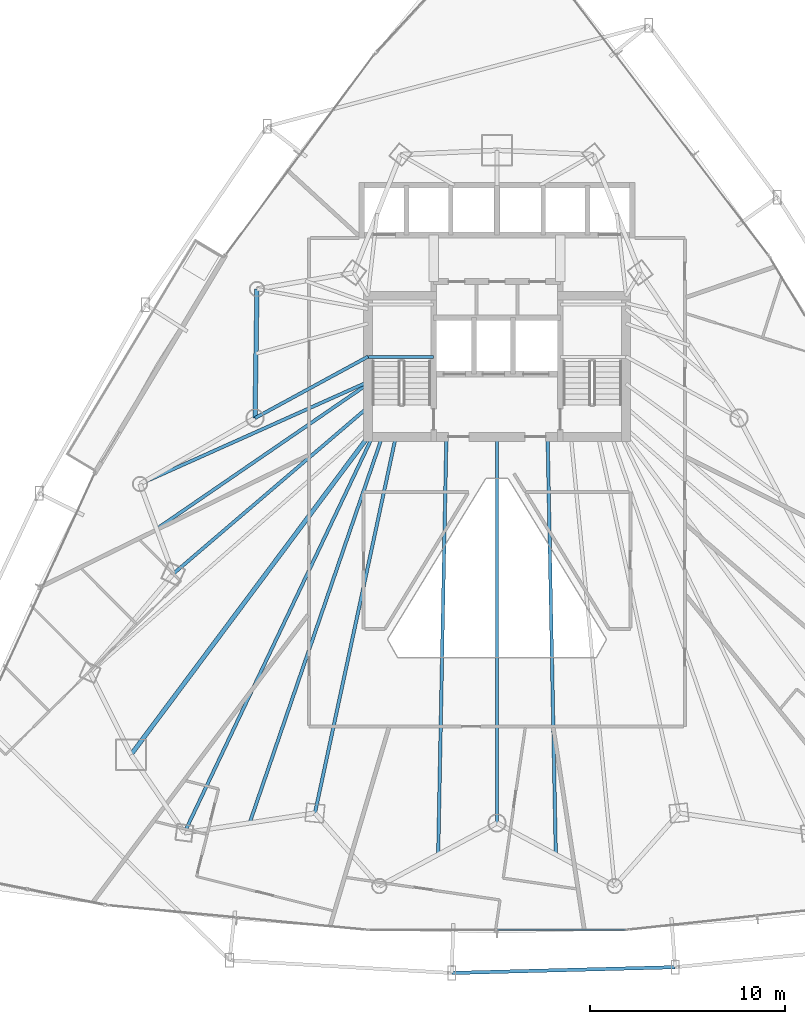
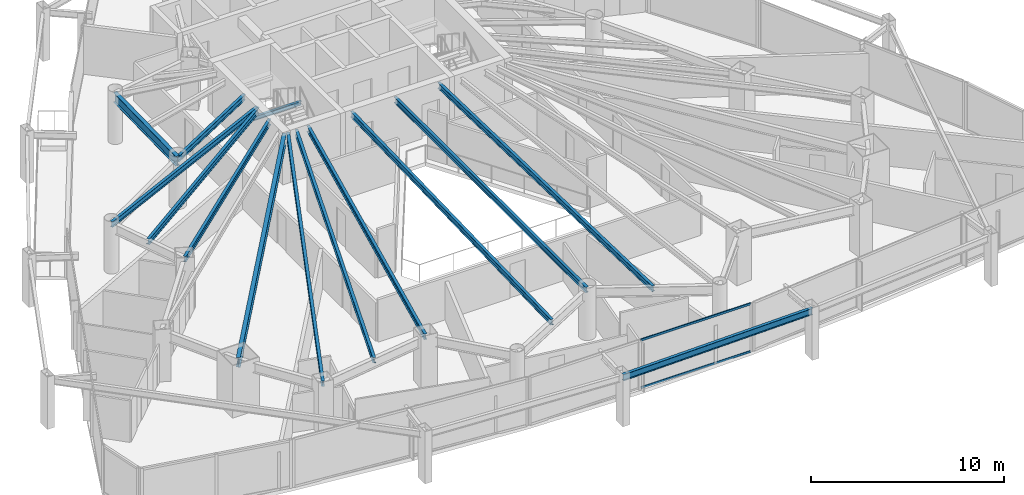
# One storey, part 11 of 35: 14 beams, 2 members, 1 element without a shape of its own.
"""IFC4 building model written with IfcOpenShell, lengths in metres."""

from ifc_helpers import new_model, si_unit, direction, frame, origin, origin_2d, place, context, subcontext, project, spatial, hollow_rectangle, i_section, extrude, material, layer, layer_set, material_profile, profile_set, type_object, element, aggregate, save


model = new_model("IFC4")

# Units and contexts
model_context = context("Model", 3, precision=1e-05, world=origin(), true_north=direction((0.0, 1.0)))
body_context = subcontext(model_context, "Body", "Model", "MODEL_VIEW")
ifc_project = project(units=[si_unit("LENGTHUNIT", "METRE"), si_unit("AREAUNIT", "SQUARE_METRE"), si_unit("VOLUMEUNIT", "CUBIC_METRE"), si_unit("PLANEANGLEUNIT", "RADIAN"), si_unit("MASSUNIT", "GRAM", prefix="KILO")], contexts=[model_context])

# Site, building, storey
site_placement = place(None, origin())
site = spatial("IfcSite", under=ifc_project, at=site_placement, CompositionType="ELEMENT")
building_placement = place(site_placement, origin())
building = spatial("IfcBuilding", under=site, at=building_placement, Name="Orvanel Arch Residences", CompositionType="ELEMENT")
storey_placement = place(building_placement, frame((0.0, 0.0, 36.800048828125)))
storey = spatial("IfcBuildingStorey", under=building, at=storey_placement, Name="L09", CompositionType="ELEMENT", Elevation=36.800048828125)

# Beams
ifc_material_1 = material(Name="Structural steel AS/NZS 3679.1 Grade 300 (300 MPa)", Category="steel")
ifc_material_profile_1 = material_profile(ifc_material_1, i_section(OverallWidth=0.22900390625, OverallDepth=0.612060546875, WebThickness=0.011962890625, FlangeThickness=0.01953125, at=origin_2d()), Name="610UB125")
ifc_profile_set_1 = profile_set([ifc_material_profile_1], Name="Structural steel AS/NZS 3679.1 Grade 300 (300 MPa)")
beam_type_1 = type_object("IfcBeamType", Name="BG-610UB", PredefinedType="BEAM", material=ifc_profile_set_1)
beam_1_placement = place(storey_placement, frame((26.375, 26.675048828125, 2.75390625), z_axis=(-0.597893733742, -0.801575375839, 0.0), x_axis=(0.801575375839, -0.597893733742, 0.0)))
element("IfcBeam", 1, at=beam_1_placement, inside=storey, type_object=beam_type_1, Name="L09 South-West Radial Girder", PredefinedType="BEAM", context=body_context, shape_type="SweptSolid", body=[
    extrude(i_section(OverallWidth=0.22900390625, OverallDepth=0.612060546875, WebThickness=0.011962890625, FlangeThickness=0.01953125, at=origin_2d()), origin(), (0.0, 0.0, 1.0), 20.36474609375),
])
ifc_material_profile_2 = material_profile(ifc_material_1, i_section(OverallWidth=0.14599609375, OverallDepth=0.251953125, WebThickness=0.006103515625, FlangeThickness=0.008544921875, at=origin_2d()), Name="250UB31.4")
ifc_profile_set_2 = profile_set([ifc_material_profile_2], Name="Structural steel AS/NZS 3679.1 Grade 300 (300 MPa)")
beam_type_2 = type_object("IfcBeamType", Name="BJ-250UB", PredefinedType="JOIST", material=ifc_profile_set_2)
beam_2_placement = place(storey_placement, frame((26.39990234375, 30.780029296875, 1.323974609375), z_axis=(1.0, 0.0, 0.0), x_axis=(0.0, 1.0, 0.0)))
element("IfcBeam", 2, at=beam_2_placement, inside=storey, type_object=beam_type_2, Name="L09 ST-1 Half-Landing Support Beam 1.1", PredefinedType="JOIST", context=body_context, shape_type="SweptSolid", body=[
    extrude(i_section(OverallWidth=0.14599609375, OverallDepth=0.251953125, WebThickness=0.006103515625, FlangeThickness=0.008544921875, at=origin_2d()), origin(), (0.0, 0.0, 1.0), 3.35009765625),
])
ifc_material_profile_3 = material_profile(ifc_material_1, i_section(OverallWidth=0.1708984375, OverallDepth=0.35595703125, WebThickness=0.00732421875, FlangeThickness=0.011474609375, at=origin_2d()), Name="360UB50.7")
ifc_profile_set_3 = profile_set([ifc_material_profile_3], Name="Structural steel AS/NZS 3679.1 Grade 300 (300 MPa)")
beam_type_3 = type_object("IfcBeamType", Name="BJ-360UB", PredefinedType="JOIST", material=ifc_profile_set_3)
beam_3_placement = place(storey_placement, frame((26.375, 30.800048828125, 2.8818359375), z_axis=(-0.878399029914, -0.477927969726, 0.0), x_axis=(0.477927969726, -0.878399029914, 0.0)))
element("IfcBeam", 3, at=beam_3_placement, inside=storey, type_object=beam_type_3, Name="L09 NW Wing Floor Joist", PredefinedType="JOIST", context=body_context, shape_type="SweptSolid", body=[
    extrude(i_section(OverallWidth=0.1708984375, OverallDepth=0.35595703125, WebThickness=0.00732421875, FlangeThickness=0.011474609375, at=origin_2d()), origin(), (0.0, 0.0, 1.0), 6.609619140625),
])
beam_4_placement = place(storey_placement, frame((26.375, 28.199951171875, 2.8818359375), z_axis=(-0.760024297953, -0.649894658018, 0.0), x_axis=(0.649894658018, -0.760024297953, 0.0)))
element("IfcBeam", 4, at=beam_4_placement, inside=storey, type_object=beam_type_3, Name="L09 W Wing Floor Joist", PredefinedType="JOIST", context=body_context, shape_type="SweptSolid", body=[
    extrude(i_section(OverallWidth=0.1708984375, OverallDepth=0.35595703125, WebThickness=0.00732421875, FlangeThickness=0.011474609375, at=origin_2d()), origin(), (0.0, 0.0, 1.0), 13.16796875),
])
beam_5_placement = place(storey_placement, frame((27.800048828125, 26.675048828125, 2.8818359375), z_axis=(-0.210066515515, -0.977687096703, 0.0), x_axis=(0.977687096703, -0.210066515515, 0.0)))
element("IfcBeam", 5, at=beam_5_placement, inside=storey, type_object=beam_type_3, Name="L09 SW Wing Floor Joist", PredefinedType="JOIST", context=body_context, shape_type="SweptSolid", body=[
    extrude(i_section(OverallWidth=0.1708984375, OverallDepth=0.35595703125, WebThickness=0.00732421875, FlangeThickness=0.011474609375, at=origin_2d()), origin(), (0.0, 0.0, 1.0), 19.760986328125),
])
beam_6_placement = place(storey_placement, frame((33.0, 26.675048828125, 2.8818359375), z_axis=(0.0, -1.0, 0.0), x_axis=(1.0, 0.0, 0.0)))
element("IfcBeam", 6, at=beam_6_placement, inside=storey, type_object=beam_type_3, Name="L09 SSW Wing Floor Joist", PredefinedType="JOIST", context=body_context, shape_type="SweptSolid", body=[
    extrude(i_section(OverallWidth=0.1708984375, OverallDepth=0.35595703125, WebThickness=0.00732421875, FlangeThickness=0.011474609375, at=origin_2d()), origin(), (0.0, 0.0, 1.0), 19.8310546875),
])
for number, where, z_axis, x_axis, name in (
    (7, (30.39990234375, 26.675048828125, 2.8818359375), (-0.019617680075, -0.999807554797, 0.0), (0.999807554797, -0.019617680075, 0.0), "L09 WSW2 Wing Floor Joist"),
    (8, (35.60009765625, 26.675048828125, 2.8818359375), (0.019617680075, -0.999807554797, 0.0), (0.999807554797, 0.019617680075, 0.0), "L09 ESE2 Wing Floor Joist"),
):
    element("IfcBeam", number, at=place(storey_placement, frame(where, z_axis=z_axis, x_axis=x_axis)), inside=storey, type_object=beam_type_3, Name=name, PredefinedType="JOIST", context=body_context, shape_type="SweptSolid", body=[
        extrude(i_section(OverallWidth=0.1708984375, OverallDepth=0.35595703125, WebThickness=0.00732421875, FlangeThickness=0.011474609375, at=origin_2d()), origin(), (0.0, 0.0, 1.0), 21.455078125),
    ])
beam_7_placement = place(storey_placement, frame((26.60009765625, 26.675048828125, 2.8818359375), z_axis=(-0.429042657795, -0.903284228686, 0.0), x_axis=(0.903284228686, -0.429042657795, 0.0)))
element("IfcBeam", 9, at=beam_7_placement, inside=storey, type_object=beam_type_3, Name="L09 MSW Wing Floor Joist", PredefinedType="JOIST", context=body_context, shape_type="SweptSolid", body=[
    extrude(i_section(OverallWidth=0.1708984375, OverallDepth=0.35595703125, WebThickness=0.00732421875, FlangeThickness=0.011474609375, at=origin_2d()), origin(), (0.0, 0.0, 1.0), 22.513427734375),
])
beam_8_placement = place(storey_placement, frame((26.375, 29.5, 2.8818359375), z_axis=(-0.912704378681, -0.408620505038, 0.0), x_axis=(0.408620505038, -0.912704378681, 0.0)))
element("IfcBeam", 10, at=beam_8_placement, inside=storey, type_object=beam_type_3, Name="L09 LSW Wing Floor Joist", PredefinedType="JOIST", context=body_context, shape_type="SweptSolid", body=[
    extrude(i_section(OverallWidth=0.1708984375, OverallDepth=0.35595703125, WebThickness=0.00732421875, FlangeThickness=0.011474609375, at=origin_2d()), origin(), (0.0, 0.0, 1.0), 12.833251953125),
])
beam_9_placement = place(storey_placement, frame((26.375, 29.39990234375, 2.8818359375), z_axis=(-0.824587280955, -0.565734757716, 0.0), x_axis=(0.565734757716, -0.824587280955, 0.0)))
element("IfcBeam", 11, at=beam_9_placement, inside=storey, type_object=beam_type_3, Name="L09 CTW Wing Floor Joist", PredefinedType="JOIST", context=body_context, shape_type="SweptSolid", body=[
    extrude(i_section(OverallWidth=0.1708984375, OverallDepth=0.35595703125, WebThickness=0.00732421875, FlangeThickness=0.011474609375, at=origin_2d()), origin(), (0.0, 0.0, 1.0), 13.17041015625),
])
beam_10_placement = place(storey_placement, frame((27.10009765625, 26.675048828125, 2.8818359375), z_axis=(-0.324621456495, -0.945844019901, 0.0), x_axis=(0.945844019901, -0.324621456495, 0.0)))
element("IfcBeam", 12, at=beam_10_placement, inside=storey, type_object=beam_type_3, Name="L09 JADD1 Wing Floor Joist", PredefinedType="JOIST", context=body_context, shape_type="SweptSolid", body=[
    extrude(i_section(OverallWidth=0.1708984375, OverallDepth=0.35595703125, WebThickness=0.00732421875, FlangeThickness=0.011474609375, at=origin_2d()), origin(), (0.0, 0.0, 1.0), 20.96337890625),
])
ifc_material_profile_4 = material_profile(ifc_material_1, i_section(OverallWidth=0.177978515625, OverallDepth=0.406005859375, WebThickness=0.0078125, FlangeThickness=0.0126953125, at=origin_2d()), Name="410UB59.7")
ifc_profile_set_4 = profile_set([ifc_material_profile_4], Name="Structural steel AS/NZS 3679.1 Grade 300 (300 MPa)")
beam_type_4 = type_object("IfcBeamType", Name="OB-410UB-EXT", PredefinedType="SPANDREL", material=ifc_profile_set_4)
beam_11_placement = place(storey_placement, frame((30.681884765625, -0.861083984375, 2.85693359375), z_axis=(0.999662336028, 0.025984878809, 0.0), x_axis=(-0.025984878809, 0.999662336028, 0.0)))
element("IfcBeam", 13, at=beam_11_placement, inside=storey, type_object=beam_type_4, Name="L09 Outer Perimeter Floor Ring Beam 06", PredefinedType="SPANDREL", context=body_context, shape_type="SweptSolid", body=[
    extrude(i_section(OverallWidth=0.177978515625, OverallDepth=0.406005859375, WebThickness=0.0078125, FlangeThickness=0.0126953125, at=origin_2d()), origin(), (0.0, 0.0, 1.0), 11.471923828125),
])
ifc_material_profile_5 = material_profile(ifc_material_1, i_section(OverallWidth=0.22900390625, OverallDepth=0.612060546875, WebThickness=0.011962890625, FlangeThickness=0.01953125, at=origin_2d()), Name="610UB125")
ifc_profile_set_5 = profile_set([ifc_material_profile_5], Name="Structural steel AS/NZS 3679.1 Grade 300 (300 MPa)")
beam_type_5 = type_object("IfcBeamType", Name="SP-610UB", PredefinedType="SPANDREL", material=ifc_profile_set_5)
beam_12_placement = place(storey_placement, frame((20.669921875, 34.27099609375, 2.75390625), z_axis=(-0.015206666874, -0.999884371956, 0.0), x_axis=(0.999884371956, -0.015206666874, 0.0)))
element("IfcBeam", 14, at=beam_12_placement, inside=storey, type_object=beam_type_5, Name="L09 Perimeter Spandrel Beam 20", PredefinedType="SPANDREL", context=body_context, shape_type="SweptSolid", body=[
    extrude(i_section(OverallWidth=0.22900390625, OverallDepth=0.612060546875, WebThickness=0.011962890625, FlangeThickness=0.01953125, at=origin_2d()), origin(), (0.0, 0.0, 1.0), 6.630615234375),
])

# Curtain wall, members
ifc_material_2 = material(Name="Bronze-anodised aluminium AA6063-T6", Category="aluminium")
ifc_layer = layer(ifc_material_2, 0.179931640625)
ifc_layer_set = layer_set([ifc_layer], Name="Bronze-anodised aluminium AA6063-T6")
curtain_wall_type = type_object("IfcCurtainWallType", Name="CW2-LOW-SYS", PredefinedType="NOTDEFINED", material=ifc_layer_set)
curtain_wall_placement = place(storey_placement, origin())
curtain_wall = element("IfcCurtainWall", 15, at=curtain_wall_placement, inside=storey, type_object=curtain_wall_type, Name="L09 CW2-LOW-SYS Unitised Curtain Wall", PredefinedType="NOTDEFINED")
ifc_material_profile_6 = material_profile(ifc_material_2, hollow_rectangle(XDim=0.06005859375, YDim=0.135009765625, WallThickness=0.00390625, at=origin_2d()), Name="ALU135x60x4")
ifc_profile_set_6 = profile_set([ifc_material_profile_6], Name="Bronze-anodised aluminium AA6063-T6")
member_type = type_object("IfcMemberType", Name="TRN-135x60", PredefinedType="USERDEFINED", material=ifc_profile_set_6)
member_1_placement = place(storey_placement, frame((33.034912109375, 1.35595703125, 0.030029296875), z_axis=(1.0, 0.0, 0.0), x_axis=(0.0, 1.0, 0.0)))
member_1 = element("IfcMember", 16, at=member_1_placement, type_object=member_type, Name="CW-S2 transom 2.1", ObjectType="TRANSOM", PredefinedType="USERDEFINED", context=body_context, shape_type="SweptSolid", body=[
    extrude(hollow_rectangle(XDim=0.06005859375, YDim=0.135009765625, WallThickness=0.00390625, at=origin_2d()), origin(), (0.0, 0.0, 1.0), 6.552978515625),
])
member_2_placement = place(storey_placement, frame((33.034912109375, 1.35595703125, 3.030029296875), z_axis=(1.0, 0.0, 0.0), x_axis=(0.0, 1.0, 0.0)))
member_2 = element("IfcMember", 17, at=member_2_placement, type_object=member_type, Name="CW-S2 transom 2.2", ObjectType="TRANSOM", PredefinedType="USERDEFINED", context=body_context, shape_type="SweptSolid", body=[
    extrude(hollow_rectangle(XDim=0.06005859375, YDim=0.135009765625, WallThickness=0.00390625, at=origin_2d()), origin(), (0.0, 0.0, 1.0), 6.552978515625),
])
aggregate(curtain_wall, [member_1, member_2])

save(model, "model.ifc")
